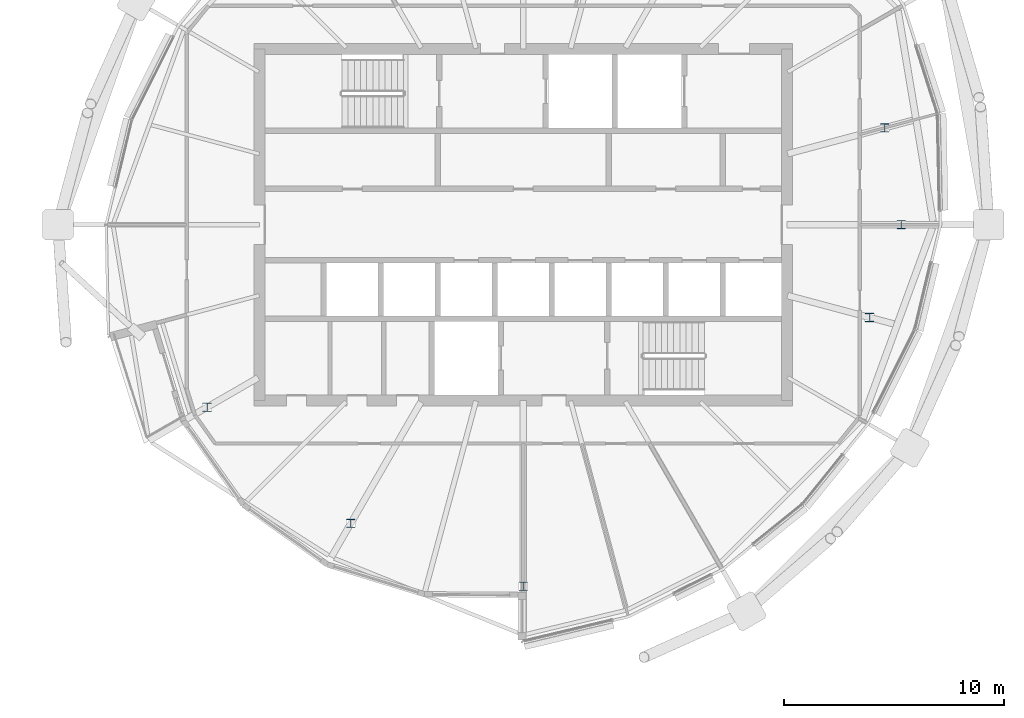
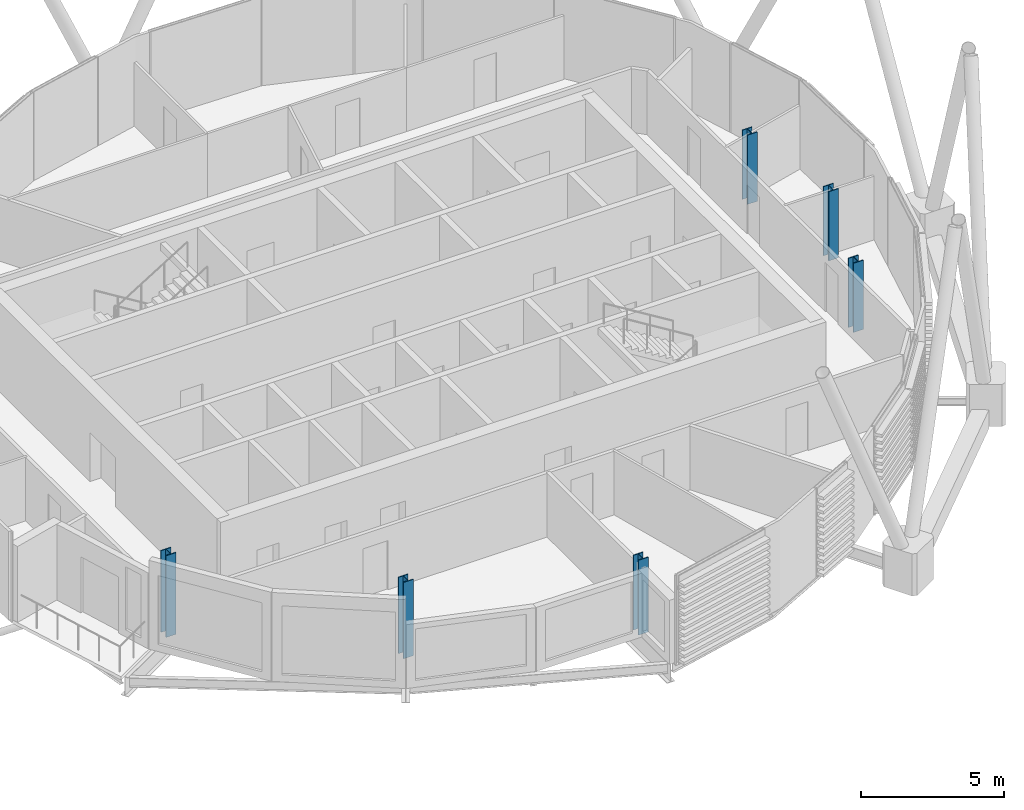
# One storey, part 2 of 31: 6 columns.
"""IFC4 building model written with IfcOpenShell, lengths in metres."""

from ifc_helpers import new_model, si_unit, direction, frame, origin, origin_2d, place, context, subcontext, project, spatial, i_section, extrude, material, material_profile, profile_set, type_object, element, save


model = new_model("IFC4")

# Units and contexts
model_context = context("Model", 3, precision=1e-05, world=origin(), true_north=direction((0.0, 1.0)))
body_context = subcontext(model_context, "Body", "Model", "MODEL_VIEW")
ifc_project = project(units=[si_unit("LENGTHUNIT", "METRE"), si_unit("AREAUNIT", "SQUARE_METRE"), si_unit("VOLUMEUNIT", "CUBIC_METRE"), si_unit("PLANEANGLEUNIT", "RADIAN"), si_unit("MASSUNIT", "GRAM", prefix="KILO")], contexts=[model_context])

# Site, building, storey
site_placement = place(None, origin())
site = spatial("IfcSite", under=ifc_project, at=site_placement, CompositionType="ELEMENT")
building_placement = place(site_placement, origin())
building = spatial("IfcBuilding", under=site, at=building_placement, Name="Rimbun Link Towers", CompositionType="ELEMENT")
storey_placement = place(building_placement, frame((0.0, 0.0, 244.699951171875)))
storey = spatial("IfcBuildingStorey", under=building, at=storey_placement, Name="L60", CompositionType="ELEMENT", Elevation=244.699951171875)

# Columns
ifc_material = material(Name="Steel S355J2", Category="steel")
ifc_material_profile = material_profile(ifc_material, i_section(OverallWidth=0.39892578125, OverallDepth=0.3935546875, WebThickness=0.022705078125, FlangeThickness=0.03662109375, at=origin_2d()), Name="UC 356x406x287")
ifc_profile_set = profile_set([ifc_material_profile], Name="Steel S355J2")
column_type = type_object("IfcColumnType", Name="UC 356x406x287", PredefinedType="COLUMN", material=ifc_profile_set)
column_1_placement = place(storey_placement, frame((17.350830078125, -8.313232421875, -0.139892578125), z_axis=(0.0, 0.0, 1.0), x_axis=(1.0, 0.0, 0.0)))
element("IfcColumn", 1, at=column_1_placement, inside=storey, type_object=column_type, Name="Crease post T2 L60 11", PredefinedType="COLUMN", context=body_context, shape_type="SweptSolid", body=[
    extrude(i_section(OverallWidth=0.39892578125, OverallDepth=0.3935546875, WebThickness=0.022705078125, FlangeThickness=0.03662109375, at=origin_2d()), origin(), (0.0, 0.0, 1.0), 3.49658203125),
])
column_2_placement = place(storey_placement, frame((23.897216796875, -13.601318359375, -0.139892578125), z_axis=(0.0, 0.0, 1.0), x_axis=(1.0, 0.0, 0.0)))
element("IfcColumn", 2, at=column_2_placement, inside=storey, type_object=column_type, Name="Crease post T2 L60 13", PredefinedType="COLUMN", context=body_context, shape_type="SweptSolid", body=[
    extrude(i_section(OverallWidth=0.39892578125, OverallDepth=0.3935546875, WebThickness=0.022705078125, FlangeThickness=0.03662109375, at=origin_2d()), origin(), (0.0, 0.0, 1.0), 3.266845703125),
])
column_3_placement = place(storey_placement, frame((31.75, -16.464599609375, -0.139892578125), z_axis=(0.0, 0.0, 1.0), x_axis=(1.0, 0.0, 0.0)))
element("IfcColumn", 3, at=column_3_placement, inside=storey, type_object=column_type, Name="Crease post T2 L60 15", PredefinedType="COLUMN", context=body_context, shape_type="SweptSolid", body=[
    extrude(i_section(OverallWidth=0.39892578125, OverallDepth=0.3935546875, WebThickness=0.022705078125, FlangeThickness=0.03662109375, at=origin_2d()), origin(), (0.0, 0.0, 1.0), 3.197265625),
])
for number, where, z_axis, x_axis, name in (
    (4, (47.519775390625, -4.2255859375, -0.139892578125), (0.0, 0.0, 1.0), (1.0, 0.0, 0.0), "Crease post T2 L60 20"),
    (5, (48.955810546875, 0.0, -0.139892578125), (0.0, 0.0, 1.0), (1.0, 0.0, 0.0), "Crease post T2 L60 21"),
    (6, (48.21142578125, 4.410888671875, -0.139892578125), (0.0, 0.0, 1.0), (1.0, 0.0, 0.0), "Crease post T2 L60 22"),
):
    element("IfcColumn", number, at=place(storey_placement, frame(where, z_axis=z_axis, x_axis=x_axis)), inside=storey, type_object=column_type, Name=name, PredefinedType="COLUMN", context=body_context, shape_type="SweptSolid", body=[
        extrude(i_section(OverallWidth=0.39892578125, OverallDepth=0.3935546875, WebThickness=0.022705078125, FlangeThickness=0.03662109375, at=origin_2d()), origin(), (0.0, 0.0, 1.0), 2.959228515625),
    ])

save(model, "model.ifc")
